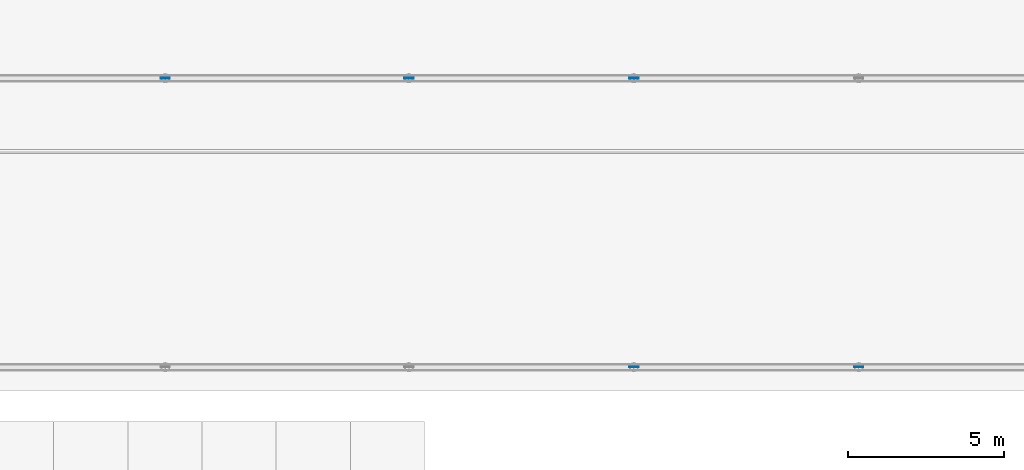
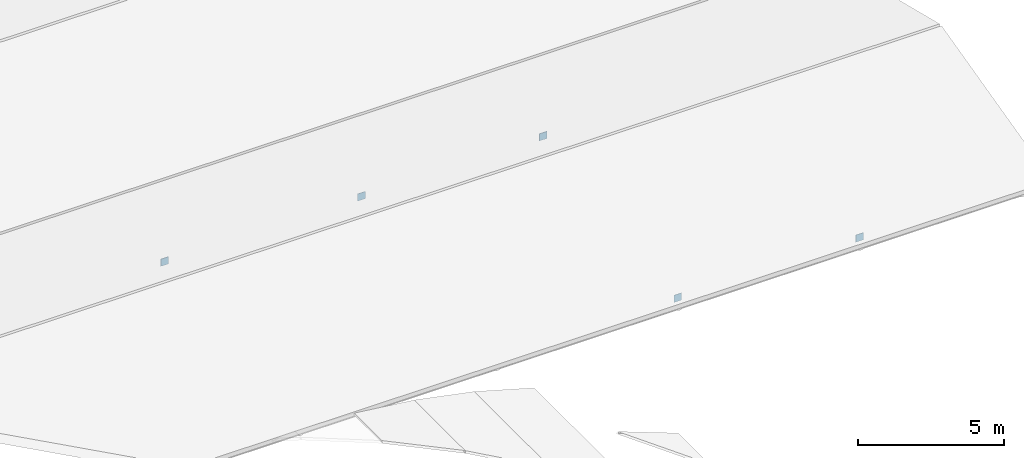
# One storey, part 72 of 91: 5 plates.
"""IFC4 building model written with IfcOpenShell, lengths in metres."""

import ifcopenshell
import ifcopenshell.guid

model = None  # the IFC model being written
_history = None  # IfcOwnerHistory: only IFC2X3 demands one
_inside = {}  # id of a spatial element -> (the spatial element, [elements in it])
_under = {}  # id of a project, library or spatial element -> (it, [spatial elements below it])
_declared = {}  # id of a project -> (the project, [libraries it declares])
_typed = {}  # id of a type object -> (the type object, [elements of that type])
_made_of = {}  # id of a material, layer set ... -> (it, [elements and type objects made of it])


def new_model(schema):
    """Start an empty IFC model of exactly this schema.

    Asked for "IFC4X3", IfcOpenShell would pick the latest addendum, in which some entities
    have other attributes; the version numbers below select the first issue.
    IFC2X3 requires an IfcOwnerHistory on every rooted entity: one is made here for all.
    """
    global model, _history
    if schema == "IFC4X3":
        model = ifcopenshell.file(schema_version=(4, 3, 0, 0))
    else:
        model = ifcopenshell.file(schema=schema)
    _inside.clear()
    _under.clear()
    _declared.clear()
    _typed.clear()
    _made_of.clear()
    _history = None
    if model.schema == "IFC2X3":
        org = make("IfcOrganization", Name="unknown")
        user = make(
            "IfcPersonAndOrganization",
            ThePerson=make("IfcPerson", FamilyName="unknown"),
            TheOrganization=org,
        )
        app = make(
            "IfcApplication",
            ApplicationDeveloper=org,
            Version="unknown",
            ApplicationFullName="unknown",
            ApplicationIdentifier="unknown",
        )
        _history = make(
            "IfcOwnerHistory",
            OwningUser=user,
            OwningApplication=app,
            ChangeAction="ADDED",
            CreationDate=0,
        )
    return model


def make(cls, **values):
    """One entity of the class cls with the attributes given. An attribute that is None is left unset."""
    return model.create_entity(
        cls, **{name: value for name, value in values.items() if value is not None}
    )


def rooted(cls, **values):
    """An entity with a GlobalId (a new one), such as an element, a storey or a relation."""
    return make(cls, GlobalId=ifcopenshell.guid.new(), OwnerHistory=_history, **values)


def si_unit(unit_type, name, prefix=None):
    """IfcSIUnit, for example si_unit("LENGTHUNIT", "METRE", prefix="MILLI")."""
    return make("IfcSIUnit", UnitType=unit_type, Prefix=prefix, Name=name)


def assignment(units):
    """IfcUnitAssignment: the units of a project."""
    return None if units is None else make("IfcUnitAssignment", Units=units)


def point(xyz):
    """IfcCartesianPoint."""
    return None if xyz is None else make("IfcCartesianPoint", Coordinates=xyz)


def direction(xyz):
    """IfcDirection."""
    return None if xyz is None else make("IfcDirection", DirectionRatios=xyz)


def frame(location, z_axis=None, x_axis=None):
    """IfcAxis2Placement3D, a coordinate frame: its origin and axes. An axis left out is left unset."""
    return make(
        "IfcAxis2Placement3D",
        Location=point(location),
        Axis=direction(z_axis),
        RefDirection=direction(x_axis),
    )


def frame_2d(location, x_axis=None):
    """IfcAxis2Placement2D, a coordinate frame in the plane: its origin and x axis."""
    return make(
        "IfcAxis2Placement2D", Location=point(location), RefDirection=direction(x_axis)
    )


def origin():
    """The frame at (0, 0, 0) with its axes left unset."""
    return frame((0.0, 0.0, 0.0))


def origin_2d():
    """The frame at (0, 0) in the plane with its x axis left unset."""
    return frame_2d((0.0, 0.0))


def place(relative_to, where):
    """IfcLocalPlacement: puts the frame where relative to a parent placement (None: the world)."""
    return make(
        "IfcLocalPlacement", PlacementRelTo=relative_to, RelativePlacement=where
    )


def context(
    kind, dimensions, precision=None, world=None, true_north=None, identifier=None
):
    """IfcGeometricRepresentationContext, for example the 3D "Model" context."""
    return make(
        "IfcGeometricRepresentationContext",
        ContextIdentifier=identifier,
        ContextType=kind,
        CoordinateSpaceDimension=dimensions,
        Precision=precision,
        WorldCoordinateSystem=world,
        TrueNorth=true_north,
    )


def subcontext(parent, identifier, kind, view, scale=None):
    """IfcGeometricRepresentationSubContext, for example "Body" below "Model"."""
    return make(
        "IfcGeometricRepresentationSubContext",
        ContextIdentifier=identifier,
        ContextType=kind,
        ParentContext=parent,
        TargetScale=scale,
        TargetView=view,
    )


def project(units=None, contexts=None):
    """IfcProject with its units and contexts."""
    return rooted(
        "IfcProject",
        Name="project",
        RepresentationContexts=contexts,
        UnitsInContext=assignment(units),
    )


def spatial(cls, under=None, at=None, **own):
    """A site, building, storey or space (cls), placed at a placement, below another one or the project."""
    s = rooted(cls, ObjectPlacement=at, **own)
    if under is not None:
        _under.setdefault(under.id(), (under, []))[1].append(s)
    return s


def profile(cls, at=None, kind="AREA", **sizes):
    """A parametric profile (cls). Its sizes go by their IFC names, for example OverallWidth=200.0."""
    return make(cls, ProfileType=kind, Position=at, **sizes)


def rectangle(**sizes):
    """IfcRectangleProfileDef."""
    return profile("IfcRectangleProfileDef", **sizes)


def extrude(swept, where, along, depth):
    """IfcExtrudedAreaSolid: the profile swept, set in the frame where, extruded along a direction by depth."""
    return make(
        "IfcExtrudedAreaSolid",
        SweptArea=swept,
        Position=where,
        ExtrudedDirection=direction(along),
        Depth=depth,
    )


def shape(context_of_items, identifier, shape_type, items):
    """IfcShapeRepresentation: the items that make up one representation, for example the "Body"."""
    return make(
        "IfcShapeRepresentation",
        ContextOfItems=context_of_items,
        RepresentationIdentifier=identifier,
        RepresentationType=shape_type,
        Items=items,
    )


def material(Name=None, Category=None):
    """IfcMaterial."""
    return make("IfcMaterial", Name=Name, Category=Category)


def layer(
    of_material, thickness, ventilated=None, Name=None, Category=None, Priority=None
):
    """IfcMaterialLayer: one layer of a wall or slab, of a material (None: an air gap)."""
    return make(
        "IfcMaterialLayer",
        Material=of_material,
        LayerThickness=thickness,
        IsVentilated=ventilated,
        Name=Name,
        Category=Category,
        Priority=Priority,
    )


def layer_set(layers, Name=None):
    """IfcMaterialLayerSet."""
    return make("IfcMaterialLayerSet", MaterialLayers=layers, LayerSetName=Name)


def made_of(thing, what):
    """Note that an element or type object is made of a material, layer set ...; save() writes the relation."""
    if what is not None:
        _made_of.setdefault(what.id(), (what, []))[1].append(thing)
    return thing


def type_object(cls, material=None, **own):
    """A type object (cls), such as IfcWallType, which elements share."""
    return made_of(rooted(cls, **own), material)


def element(
    cls,
    number,
    at=None,
    inside=None,
    cuts=None,
    type_object=None,
    material=None,
    context=None,
    identifier="Body",
    shape_type=None,
    held_by="IfcProductDefinitionShape",
    body=None,
    shapes=None,
    **own,
):
    """One element of the class cls, such as IfcWall. Its Tag is "e" and its number.

    at: its placement. inside: the storey or other place that contains it. cuts: it is an
    opening in that element (IfcRelVoidsElement). A single representation is given by context,
    identifier, shape_type and body (its items); several are given by shapes. held_by: the class
    of the entity that holds the representations. save() writes the other relations.
    """
    e = rooted(cls, Tag="e%d" % number, ObjectPlacement=at, **own)
    if body is not None:
        shapes = [shape(context, identifier, shape_type, body)]
    if shapes is not None:
        e.Representation = make(held_by, Representations=shapes)
    if inside is not None:
        _inside.setdefault(inside.id(), (inside, []))[1].append(e)
    if cuts is not None:
        rooted(
            "IfcRelVoidsElement", RelatingBuildingElement=cuts, RelatedOpeningElement=e
        )
    if type_object is not None:
        _typed.setdefault(type_object.id(), (type_object, []))[1].append(e)
    return made_of(e, material)


def aggregate(whole, parts):
    """IfcRelAggregates: a whole, such as a stair, and the parts it consists of."""
    return rooted("IfcRelAggregates", RelatingObject=whole, RelatedObjects=parts)


def save(model, path):
    """Write the relations noted so far, then the file.

    IfcRelAggregates (storeys below a building ...), IfcRelContainedInSpatialStructure (elements
    in a storey), IfcRelDefinesByType, IfcRelAssociatesMaterial and IfcRelDeclares: one each for
    every whole, place, type object, material and project.
    """
    for whole, parts in _under.values():
        aggregate(whole, parts)
    for where, things in _inside.values():
        rooted(
            "IfcRelContainedInSpatialStructure",
            RelatedElements=things,
            RelatingStructure=where,
        )
    for kind, things in _typed.values():
        rooted("IfcRelDefinesByType", RelatedObjects=things, RelatingType=kind)
    for what, things in _made_of.values():
        rooted("IfcRelAssociatesMaterial", RelatedObjects=things, RelatingMaterial=what)
    for by, libraries in _declared.values():
        rooted("IfcRelDeclares", RelatingContext=by, RelatedDefinitions=libraries)
    model.write(path)


model = new_model("IFC4")

# Units and contexts
model_context = context("Model", 3, precision=1e-05, world=origin(), true_north=direction((0.0, 1.0)))
body_context = subcontext(model_context, "Body", "Model", "MODEL_VIEW")
ifc_project = project(units=[si_unit("LENGTHUNIT", "METRE"), si_unit("AREAUNIT", "SQUARE_METRE"), si_unit("VOLUMEUNIT", "CUBIC_METRE"), si_unit("PLANEANGLEUNIT", "RADIAN"), si_unit("MASSUNIT", "GRAM", prefix="KILO")], contexts=[model_context])

# Site, building, storey
site_placement = place(None, origin())
site = spatial("IfcSite", under=ifc_project, at=site_placement, CompositionType="ELEMENT")
building_placement = place(site_placement, origin())
building = spatial("IfcBuilding", under=site, at=building_placement, Name="Valcora Specialist Clinic", CompositionType="ELEMENT")
storey_placement = place(building_placement, frame((0.0, 0.0, 13.60009765625)))
storey = spatial("IfcBuildingStorey", under=building, at=storey_placement, Name="L03", CompositionType="ELEMENT", Elevation=13.60009765625)

# Plates
ifc_material = material(Name="Steel ASTM A572 Grade 50", Category="steel")
ifc_layer = layer(ifc_material, 0.02001953125)
ifc_layer_set = layer_set([ifc_layer], Name="Steel ASTM A572 Grade 50")
plate_type = type_object("IfcPlateType", Name="TY-PL-EC273", PredefinedType="USERDEFINED", material=ifc_layer_set)
for number, where, z_axis, x_axis, name in (
    (1, (31.199951171875, 80.949951171875, 0.3017578125), (0.0, 0.0, 1.0), (1.0, 0.0, 0.0), "Stub post end-cap plate COL-RFV2-312-809"),
    (2, (38.39990234375, 80.949951171875, 0.3017578125), (0.0, 0.0, 1.0), (1.0, 0.0, 0.0), "Stub post end-cap plate COL-RFV2-384-809"),
    (3, (16.199951171875, 90.199951171875, 1.458984375), (0.0, 0.0, 1.0), (1.0, 0.0, 0.0), "Stub post end-cap plate COL-RFV2-162-902"),
    (4, (24.0, 90.199951171875, 1.458984375), (0.0, 0.0, 1.0), (1.0, 0.0, 0.0), "Stub post end-cap plate COL-RFV2-240-902"),
    (5, (31.199951171875, 90.199951171875, 1.458984375), (0.0, 0.0, 1.0), (1.0, 0.0, 0.0), "Stub post end-cap plate COL-RFV2-312-902"),
):
    element("IfcPlate", number, at=place(storey_placement, frame(where, z_axis=z_axis, x_axis=x_axis)), inside=storey, type_object=plate_type, Name=name, ObjectType="FLANGE_PLATE", PredefinedType="USERDEFINED", context=body_context, shape_type="SweptSolid", body=[
        extrude(rectangle(XDim=0.300048828125, YDim=0.02001953125, at=origin_2d()), origin(), (0.0, 0.0, 1.0), 0.300048828125),
    ])

save(model, "model.ifc")
